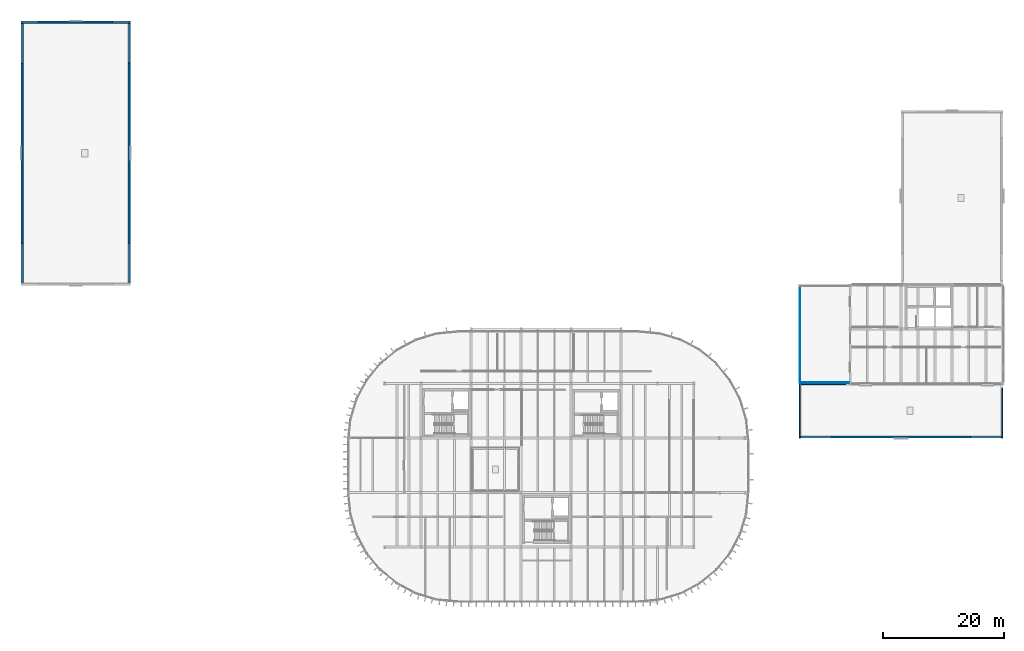
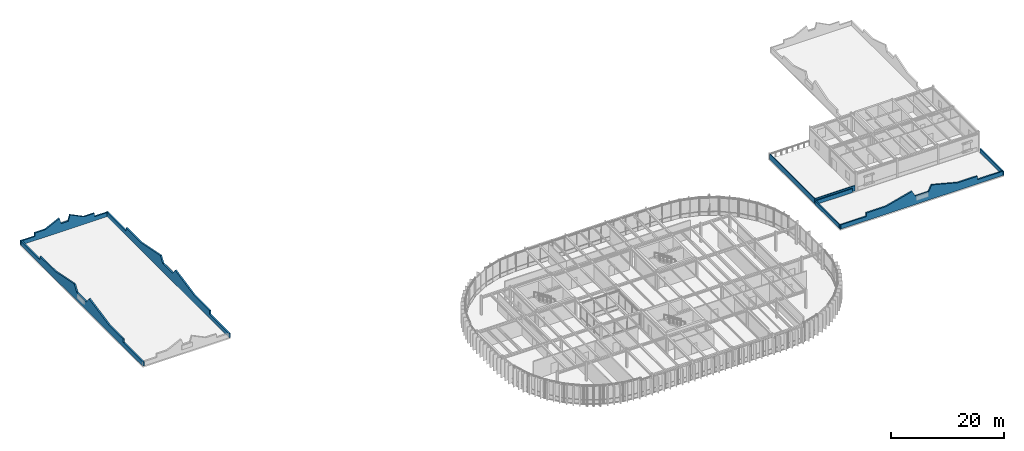
# One storey, part 23 of 31: 9 walls.
"""IFC4 building model written with IfcOpenShell, lengths in metres."""

from ifc_helpers import new_model, si_unit, direction, frame, frame_2d, origin, place, context, subcontext, project, spatial, polyline, rectangle, outline, extrude, material, layer, layer_set, type_object, element, save


model = new_model("IFC4")

# Units and contexts
model_context = context("Model", 3, precision=1e-05, world=origin(), true_north=direction((0.0, 1.0)))
body_context = subcontext(model_context, "Body", "Model", "MODEL_VIEW")
ifc_project = project(units=[si_unit("LENGTHUNIT", "METRE"), si_unit("AREAUNIT", "SQUARE_METRE"), si_unit("VOLUMEUNIT", "CUBIC_METRE"), si_unit("PLANEANGLEUNIT", "RADIAN"), si_unit("MASSUNIT", "GRAM", prefix="KILO")], contexts=[model_context])

# Site, building, storey
site_placement = place(None, origin())
site = spatial("IfcSite", under=ifc_project, at=site_placement, CompositionType="ELEMENT")
building_placement = place(site_placement, origin())
building = spatial("IfcBuilding", under=site, at=building_placement, Name="Montealbar Specialist Clinic", CompositionType="ELEMENT")
storey_placement = place(building_placement, frame((0.0, 0.0, 13.800048828125)))
storey = spatial("IfcBuildingStorey", under=building, at=storey_placement, Name="L03", CompositionType="ELEMENT", Elevation=13.800048828125)

# Walls
ifc_material_1 = material(Name="Guadarrama granite ashlar", Category="masonry")
ifc_layer_1 = layer(ifc_material_1, 0.159912109375, Name="Guadarrama granite ashlar", Category="masonry")
ifc_layer_set_1 = layer_set([ifc_layer_1], Name="Guadarrama granite ashlar")
wall_type_1 = type_object("IfcWallType", Name="WL-PARAPET-160", PredefinedType="PARAPET", material=ifc_layer_set_1)
wall_1_placement = place(storey_placement, frame((128.52001953125, 36.1201171875, 0.0), z_axis=(0.0, 0.0, 1.0), x_axis=(1.0, 0.0, 0.0)))
element("IfcWall", 1, at=wall_1_placement, inside=storey, type_object=wall_type_1, Name="Terrace Separation Parapet TERR-L03-V3W-S", PredefinedType="PARAPET", context=body_context, shape_type="SweptSolid", body=[
    extrude(rectangle(XDim=8.159912109375, YDim=0.159912109375, at=frame_2d((4.080078125, 0.0))), origin(), (0.0, 0.0, 1.0), 1.139892578125),
])
wall_2_placement = place(storey_placement, frame((128.52001953125, 36.1201171875, 0.0), z_axis=(0.0, 0.0, 1.0), x_axis=(0.0, 1.0, 0.0)))
element("IfcWall", 2, at=wall_2_placement, inside=storey, type_object=wall_type_1, Name="Terrace Separation Parapet TERR-L03-V3W-W", PredefinedType="PARAPET", context=body_context, shape_type="SweptSolid", body=[
    extrude(rectangle(XDim=15.9599609375, YDim=0.159912109375, at=frame_2d((7.97998046875, 0.0))), origin(), (0.0, 0.0, 1.0), 1.139892578125),
])
ifc_material_2 = material(Name="Precast concrete C40/50", Category="concrete")
ifc_layer_2 = layer(ifc_material_2, 0.199951171875, Name="Precast concrete C40/50", Category="concrete")
ifc_layer_set_2 = layer_set([ifc_layer_2], Name="Precast concrete C40/50")
wall_type_2 = type_object("IfcWallType", Name="WL-PARAPET-200", PredefinedType="PARAPET", material=ifc_layer_set_2)
wall_3_placement = place(storey_placement, frame((128.5, 27.0, 0.0), z_axis=(0.0, 0.0, 1.0), x_axis=(0.0, 1.0, 0.0)))
element("IfcWall", 3, at=wall_3_placement, inside=storey, type_object=wall_type_2, Name="Roof Parapet L03-034", PredefinedType="PARAPET", context=body_context, shape_type="SweptSolid", body=[
    extrude(rectangle(XDim=9.0, YDim=0.199951171875, at=frame_2d((4.5, 0.0))), origin(), (0.0, 0.0, 1.0), 0.849853515625),
])
wall_4_placement = place(storey_placement, frame((128.715087890625, 35.89990234375, 0.0), z_axis=(0.0, 0.0, 1.0), x_axis=(1.0, 0.0, 0.0)))
element("IfcWall", 4, at=wall_4_placement, inside=storey, type_object=wall_type_2, Name="Roof Parapet L03-035", PredefinedType="PARAPET", context=body_context, shape_type="SweptSolid", body=[
    extrude(rectangle(XDim=7.3349609375, YDim=0.199951171875, at=frame_2d((3.66748046875, 0.0))), origin(), (0.0, 0.0, 1.0), 0.849853515625),
])
wall_5_placement = place(storey_placement, frame((161.89990234375, 35.25, 0.0), z_axis=(0.0, 0.0, 1.0), x_axis=(0.0, -1.0, 0.0)))
element("IfcWall", 5, at=wall_5_placement, inside=storey, type_object=wall_type_2, Name="Roof Parapet L03-036", PredefinedType="PARAPET", context=body_context, shape_type="SweptSolid", body=[
    extrude(rectangle(XDim=8.25, YDim=0.199951171875, at=frame_2d((4.125, 0.0))), origin(), (0.0, 0.0, 1.0), 0.849853515625),
])
ifc_material_3 = material(Name="Terracotta architectural cladding", Category="masonry")
ifc_layer_3 = layer(ifc_material_3, 0.300048828125, Name="Terracotta architectural cladding", Category="masonry")
ifc_layer_set_3 = layer_set([ifc_layer_3], Name="Terracotta architectural cladding")
wall_type_3 = type_object("IfcWallType", Name="WL-PEDIMENT-300", PredefinedType="PARAPET", material=ifc_layer_set_3)
wall_6_placement = place(storey_placement, frame((162.0, 27.169921875, 0.0), z_axis=(0.0, 0.0, 1.0), x_axis=(-1.0, 0.0, 0.0)))
element("IfcWall", 6, at=wall_6_placement, inside=storey, type_object=wall_type_3, Name="Postmodern Broken-Pediment Gable Parapet L03-08", PredefinedType="PARAPET", context=body_context, shape_type="SweptSolid", body=[
    extrude(outline(polyline([(0.0, 0.0), (33.60009765625, 0.0), (33.60009765625, 0.89990234375), (28.22412109375, 0.89990234375), (28.2041015625, 1.64990234375), (24.19189453125, 1.64990234375), (18.81591796875, 3.050048828125), (18.14404296875, 1.800048828125), (15.4560546875, 1.800048828125), (14.783935546875, 3.050048828125), (9.407958984375, 1.64990234375), (5.39599609375, 1.64990234375), (5.3759765625, 0.89990234375), (0.0, 0.89990234375), (0.0, 0.0)])), frame((0.0, 0.14990234375, 0.0), z_axis=(0.0, -1.0, 0.0), x_axis=(1.0, 0.0, 0.0)), (0.0, 0.0, 1.0), 0.300048828125),
])
wall_7_placement = place(storey_placement, frame((0.169921875, 52.199951171875, 0.0), z_axis=(0.0, 0.0, 1.0), x_axis=(0.0, 1.0, 0.0)))
element("IfcWall", 7, at=wall_7_placement, inside=storey, type_object=wall_type_3, Name="Postmodern Broken-Pediment Gable Parapet L03-12", PredefinedType="PARAPET", context=body_context, shape_type="SweptSolid", body=[
    extrude(outline(polyline([(0.0, 0.0), (43.60009765625, 0.0), (43.60009765625, 0.89990234375), (36.6240234375, 0.89990234375), (36.60400390625, 1.64990234375), (31.39208984375, 1.64990234375), (24.416015625, 3.050048828125), (23.5439453125, 1.800048828125), (20.055908203125, 1.800048828125), (19.18408203125, 3.050048828125), (12.2080078125, 1.64990234375), (6.99609375, 1.64990234375), (6.97607421875, 0.89990234375), (0.0, 0.89990234375), (0.0, 0.0)])), frame((0.0, 0.14990234375, 0.0), z_axis=(0.0, -1.0, 0.0), x_axis=(1.0, 0.0, 0.0)), (0.0, 0.0, 1.0), 0.300048828125),
])
wall_8_placement = place(storey_placement, frame((0.0, 95.6298828125, 0.0), z_axis=(0.0, 0.0, 1.0), x_axis=(1.0, 0.0, 0.0)))
element("IfcWall", 8, at=wall_8_placement, inside=storey, type_object=wall_type_3, Name="Postmodern Broken-Pediment Gable Parapet L03-13", PredefinedType="PARAPET", context=body_context, shape_type="SweptSolid", body=[
    extrude(outline(polyline([(0.0, 0.0), (18.0, 0.0), (18.0, 0.89990234375), (15.1201171875, 0.89990234375), (15.10009765625, 1.64990234375), (12.9599609375, 1.64990234375), (10.080078125, 3.050048828125), (9.719970703125, 1.800048828125), (8.280029296875, 1.800048828125), (7.919921875, 3.050048828125), (5.0400390625, 1.64990234375), (2.89990234375, 1.64990234375), (2.8798828125, 0.89990234375), (0.0, 0.89990234375), (0.0, 0.0)])), frame((0.0, 0.14990234375, 0.0), z_axis=(0.0, -1.0, 0.0), x_axis=(1.0, 0.0, 0.0)), (0.0, 0.0, 1.0), 0.300048828125),
])
wall_9_placement = place(storey_placement, frame((17.830078125, 95.800048828125, 0.0), z_axis=(0.0, 0.0, 1.0), x_axis=(0.0, -1.0, 0.0)))
element("IfcWall", 9, at=wall_9_placement, inside=storey, type_object=wall_type_3, Name="Postmodern Broken-Pediment Gable Parapet L03-14", PredefinedType="PARAPET", context=body_context, shape_type="SweptSolid", body=[
    extrude(outline(polyline([(0.0, 0.0), (43.60009765625, 0.0), (43.60009765625, 0.89990234375), (36.6240234375, 0.89990234375), (36.60400390625, 1.64990234375), (31.39208984375, 1.64990234375), (24.416015625, 3.050048828125), (23.5439453125, 1.800048828125), (20.055908203125, 1.800048828125), (19.18408203125, 3.050048828125), (12.2080078125, 1.64990234375), (6.99609375, 1.64990234375), (6.97607421875, 0.89990234375), (0.0, 0.89990234375), (0.0, 0.0)])), frame((0.0, 0.14990234375, 0.0), z_axis=(0.0, -1.0, 0.0), x_axis=(1.0, 0.0, 0.0)), (0.0, 0.0, 1.0), 0.300048828125),
])

save(model, "model.ifc")
